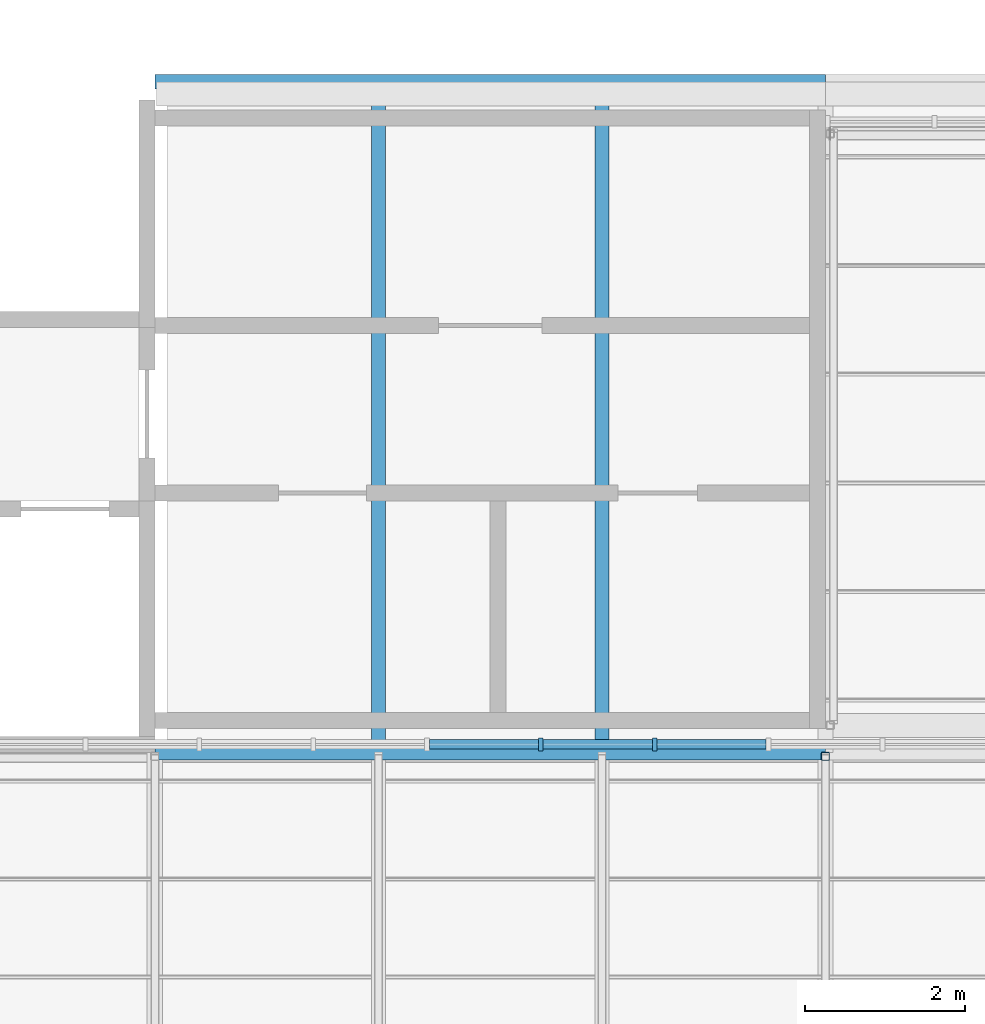
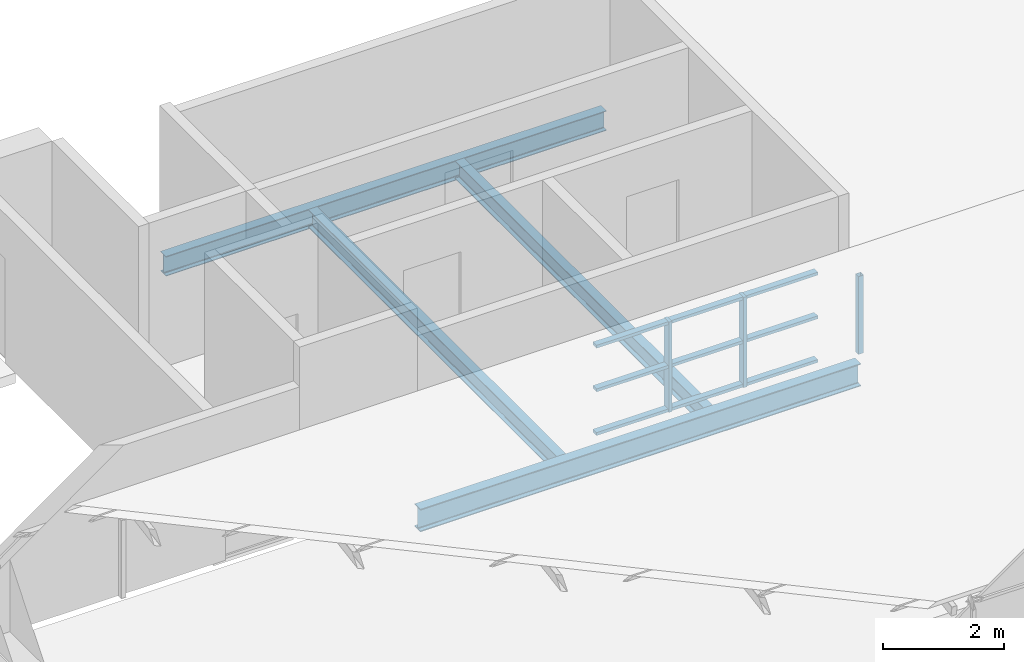
# One storey, part 8 of 33: 12 members, 4 beams, 1 element without a shape of its own.
"""IFC4 building model written with IfcOpenShell, lengths in metres."""

from ifc_helpers import new_model, si_unit, direction, frame, origin, origin_2d, place, context, subcontext, project, spatial, rectangle, hollow_rectangle, i_section, extrude, material, layer, layer_set, material_profile, profile_set, type_object, element, aggregate, save


model = new_model("IFC4")

# Units and contexts
model_context = context("Model", 3, precision=1e-05, world=origin(), true_north=direction((0.0, 1.0)))
body_context = subcontext(model_context, "Body", "Model", "MODEL_VIEW")
ifc_project = project(units=[si_unit("LENGTHUNIT", "METRE"), si_unit("AREAUNIT", "SQUARE_METRE"), si_unit("VOLUMEUNIT", "CUBIC_METRE"), si_unit("PLANEANGLEUNIT", "RADIAN"), si_unit("MASSUNIT", "GRAM", prefix="KILO")], contexts=[model_context])

# Site, building, storey
site_placement = place(None, origin())
site = spatial("IfcSite", under=ifc_project, at=site_placement, CompositionType="ELEMENT")
building_placement = place(site_placement, origin())
building = spatial("IfcBuilding", under=site, at=building_placement, Name="Ardhachandra Cancer Care Centre", CompositionType="ELEMENT")
storey_placement = place(building_placement, frame((0.0, 0.0, 27.0)))
storey = spatial("IfcBuildingStorey", under=building, at=storey_placement, Name="Roof", CompositionType="ELEMENT", Elevation=27.0)

# Beams
ifc_material_1 = material(Name="Steel E350 (IS 2062)", Category="steel")
ifc_material_profile_1 = material_profile(ifc_material_1, i_section(OverallWidth=0.172119140625, OverallDepth=0.364013671875, WebThickness=0.00927734375, FlangeThickness=0.0146484375, FilletRadius=0.01806640625, at=origin_2d()), Name="NPB 350x170x66.04")
ifc_profile_set_1 = profile_set([ifc_material_profile_1], Name="Steel E350 (IS 2062)")
beam_type_1 = type_object("IfcBeamType", Name="Beam NPB 350x170x66.04", PredefinedType="BEAM", material=ifc_profile_set_1)
for number, where, z_axis, x_axis, name in (
    (1, (122.800048828125, 96.696044921875, -0.382080078125), (0.0, 1.0, 0.0), (-1.0, 0.0, 0.0), "Secondary L14-M14@2800"),
    (2, (125.60009765625, 96.696044921875, -0.382080078125), (0.0, 1.0, 0.0), (-1.0, 0.0, 0.0), "Secondary L14-M14@5600"),
):
    element("IfcBeam", number, at=place(storey_placement, frame(where, z_axis=z_axis, x_axis=x_axis)), inside=storey, type_object=beam_type_1, Name=name, PredefinedType="BEAM", context=body_context, shape_type="SweptSolid", body=[
        extrude(i_section(OverallWidth=0.172119140625, OverallDepth=0.364013671875, WebThickness=0.00927734375, FlangeThickness=0.0146484375, FilletRadius=0.01806640625, at=origin_2d()), origin(), (0.0, 0.0, 1.0), 8.2138671875),
    ])
ifc_material_2 = material(Name="Steel E350 (IS 2062)", Category="steel")
ifc_material_profile_2 = material_profile(ifc_material_2, i_section(OverallWidth=0.179931640625, OverallDepth=0.39990234375, WebThickness=0.008544921875, FlangeThickness=0.013427734375, FilletRadius=0.02099609375, at=origin_2d()), Name="NPB 400x180x66.30")
ifc_profile_set_2 = profile_set([ifc_material_profile_2], Name="Steel E350 (IS 2062)")
beam_type_2 = type_object("IfcBeamType", Name="Beam NPB 400x180x66.30", PredefinedType="BEAM", material=ifc_profile_set_2)
beam_1_placement = place(storey_placement, frame((120.0, 105.0, -0.39990234375), z_axis=(1.0, 0.0, 0.0), x_axis=(0.0, 1.0, 0.0)))
element("IfcBeam", 3, at=beam_1_placement, inside=storey, type_object=beam_type_2, Name="Edge girder M14-M15", PredefinedType="BEAM", context=body_context, shape_type="SweptSolid", body=[
    extrude(i_section(OverallWidth=0.179931640625, OverallDepth=0.39990234375, WebThickness=0.008544921875, FlangeThickness=0.013427734375, FilletRadius=0.02099609375, at=origin_2d()), origin(), (0.0, 0.0, 1.0), 8.39990234375),
])
ifc_material_3 = material(Name="Steel E350 (IS 2062)", Category="steel")
ifc_material_profile_3 = material_profile(ifc_material_3, i_section(OverallWidth=0.19189453125, OverallDepth=0.4560546875, WebThickness=0.010986328125, FlangeThickness=0.017578125, FilletRadius=0.02099609375, at=origin_2d()), Name="NPB 450x190x92.36")
ifc_profile_set_3 = profile_set([ifc_material_profile_3], Name="Steel E350 (IS 2062)")
beam_type_3 = type_object("IfcBeamType", Name="Beam NPB 450x190x92.36", PredefinedType="BEAM", material=ifc_profile_set_3)
beam_2_placement = place(storey_placement, frame((120.0, 96.60009765625, -0.427978515625), z_axis=(1.0, 0.0, 0.0), x_axis=(0.0, 1.0, 0.0)))
element("IfcBeam", 4, at=beam_2_placement, inside=storey, type_object=beam_type_3, Name="Girder L14-L15", PredefinedType="BEAM", context=body_context, shape_type="SweptSolid", body=[
    extrude(i_section(OverallWidth=0.19189453125, OverallDepth=0.4560546875, WebThickness=0.010986328125, FlangeThickness=0.017578125, FilletRadius=0.02099609375, at=origin_2d()), origin(), (0.0, 0.0, 1.0), 8.39990234375),
])

# Curtain wall, members
ifc_material_4 = material(Name="Aluminium extrusion", Category="aluminium")
ifc_layer = layer(ifc_material_4, 0.14990234375)
ifc_layer_set = layer_set([ifc_layer], Name="Aluminium extrusion")
curtain_wall_type = type_object("IfcCurtainWallType", Name="Curtain wall run", PredefinedType="NOTDEFINED", material=ifc_layer_set)
curtain_wall_placement = place(storey_placement, origin())
curtain_wall = element("IfcCurtainWall", 5, at=curtain_wall_placement, inside=storey, type_object=curtain_wall_type, Name="Curtain wall Roof n/0112000_0096700", PredefinedType="NOTDEFINED")
ifc_material_5 = material(Name="Aluminium extrusion", Category="aluminium")
ifc_material_profile_4 = material_profile(ifc_material_5, rectangle(XDim=0.159912109375, YDim=0.06005859375, at=origin_2d()), Name="Curtain wall mullion 60 x 160")
ifc_profile_set_4 = profile_set([ifc_material_profile_4], Name="Aluminium extrusion")
member_type_1 = type_object("IfcMemberType", Name="Curtain wall mullion 60 x 160", PredefinedType="MULLION", material=ifc_profile_set_4)
member_1_placement = place(storey_placement, frame((124.834716796875, 96.699951171875, 0.0), z_axis=(0.0, 0.0, 1.0), x_axis=(0.0, 1.0, 0.0)))
member_1 = element("IfcMember", 6, at=member_1_placement, type_object=member_type_1, Name="CW mullion 10", PredefinedType="MULLION", context=body_context, shape_type="SweptSolid", body=[
    extrude(rectangle(XDim=0.159912109375, YDim=0.06005859375, at=origin_2d()), origin(), (0.0, 0.0, 1.0), 1.820068359375),
])
member_2_placement = place(storey_placement, frame((126.260986328125, 96.699951171875, 0.0), z_axis=(0.0, 0.0, 1.0), x_axis=(0.0, 1.0, 0.0)))
member_2 = element("IfcMember", 7, at=member_2_placement, type_object=member_type_1, Name="CW mullion 11", PredefinedType="MULLION", context=body_context, shape_type="SweptSolid", body=[
    extrude(rectangle(XDim=0.159912109375, YDim=0.06005859375, at=origin_2d()), origin(), (0.0, 0.0, 1.0), 1.820068359375),
])
ifc_material_6 = material(Name="Aluminium extrusion", Category="aluminium")
ifc_material_profile_5 = material_profile(ifc_material_6, rectangle(XDim=0.1201171875, YDim=0.06005859375, at=origin_2d()), Name="Curtain wall transom 60 x 120")
ifc_profile_set_5 = profile_set([ifc_material_profile_5], Name="Aluminium extrusion")
member_type_2 = type_object("IfcMemberType", Name="Curtain wall transom 60 x 120", PredefinedType="USERDEFINED", material=ifc_profile_set_5)
member_3_placement = place(storey_placement, frame((123.438720703125, 96.699951171875, 0.030029296875), z_axis=(1.0, 0.0, 0.0), x_axis=(0.0, 1.0, 0.0)))
member_3 = element("IfcMember", 8, at=member_3_placement, type_object=member_type_2, Name="CW transom 9.1", ObjectType="TRANSOM", PredefinedType="USERDEFINED", context=body_context, shape_type="SweptSolid", body=[
    extrude(rectangle(XDim=0.1201171875, YDim=0.06005859375, at=origin_2d()), origin(), (0.0, 0.0, 1.0), 1.365966796875),
])
member_4_placement = place(storey_placement, frame((123.438720703125, 96.699951171875, 0.909912109375), z_axis=(1.0, 0.0, 0.0), x_axis=(0.0, 1.0, 0.0)))
member_4 = element("IfcMember", 9, at=member_4_placement, type_object=member_type_2, Name="CW transom 9.2", ObjectType="TRANSOM", PredefinedType="USERDEFINED", context=body_context, shape_type="SweptSolid", body=[
    extrude(rectangle(XDim=0.1201171875, YDim=0.06005859375, at=origin_2d()), origin(), (0.0, 0.0, 1.0), 1.365966796875),
])
member_5_placement = place(storey_placement, frame((123.438720703125, 96.699951171875, 1.7900390625), z_axis=(1.0, 0.0, 0.0), x_axis=(0.0, 1.0, 0.0)))
member_5 = element("IfcMember", 10, at=member_5_placement, type_object=member_type_2, Name="CW transom 9.3", ObjectType="TRANSOM", PredefinedType="USERDEFINED", context=body_context, shape_type="SweptSolid", body=[
    extrude(rectangle(XDim=0.1201171875, YDim=0.06005859375, at=origin_2d()), origin(), (0.0, 0.0, 1.0), 1.365966796875),
])
member_6_placement = place(storey_placement, frame((124.86474609375, 96.699951171875, 0.030029296875), z_axis=(1.0, 0.0, 0.0), x_axis=(0.0, 1.0, 0.0)))
member_6 = element("IfcMember", 11, at=member_6_placement, type_object=member_type_2, Name="CW transom 10.1", ObjectType="TRANSOM", PredefinedType="USERDEFINED", context=body_context, shape_type="SweptSolid", body=[
    extrude(rectangle(XDim=0.1201171875, YDim=0.06005859375, at=origin_2d()), origin(), (0.0, 0.0, 1.0), 1.3662109375),
])
member_7_placement = place(storey_placement, frame((124.86474609375, 96.699951171875, 0.909912109375), z_axis=(1.0, 0.0, 0.0), x_axis=(0.0, 1.0, 0.0)))
member_7 = element("IfcMember", 12, at=member_7_placement, type_object=member_type_2, Name="CW transom 10.2", ObjectType="TRANSOM", PredefinedType="USERDEFINED", context=body_context, shape_type="SweptSolid", body=[
    extrude(rectangle(XDim=0.1201171875, YDim=0.06005859375, at=origin_2d()), origin(), (0.0, 0.0, 1.0), 1.3662109375),
])
member_8_placement = place(storey_placement, frame((124.86474609375, 96.699951171875, 1.7900390625), z_axis=(1.0, 0.0, 0.0), x_axis=(0.0, 1.0, 0.0)))
member_8 = element("IfcMember", 13, at=member_8_placement, type_object=member_type_2, Name="CW transom 10.3", ObjectType="TRANSOM", PredefinedType="USERDEFINED", context=body_context, shape_type="SweptSolid", body=[
    extrude(rectangle(XDim=0.1201171875, YDim=0.06005859375, at=origin_2d()), origin(), (0.0, 0.0, 1.0), 1.3662109375),
])
member_9_placement = place(storey_placement, frame((126.290771484375, 96.699951171875, 0.030029296875), z_axis=(1.0, 0.0, 0.0), x_axis=(0.0, 1.0, 0.0)))
member_9 = element("IfcMember", 14, at=member_9_placement, type_object=member_type_2, Name="CW transom 11.1", ObjectType="TRANSOM", PredefinedType="USERDEFINED", context=body_context, shape_type="SweptSolid", body=[
    extrude(rectangle(XDim=0.1201171875, YDim=0.06005859375, at=origin_2d()), origin(), (0.0, 0.0, 1.0), 1.3662109375),
])
member_10_placement = place(storey_placement, frame((126.290771484375, 96.699951171875, 0.909912109375), z_axis=(1.0, 0.0, 0.0), x_axis=(0.0, 1.0, 0.0)))
member_10 = element("IfcMember", 15, at=member_10_placement, type_object=member_type_2, Name="CW transom 11.2", ObjectType="TRANSOM", PredefinedType="USERDEFINED", context=body_context, shape_type="SweptSolid", body=[
    extrude(rectangle(XDim=0.1201171875, YDim=0.06005859375, at=origin_2d()), origin(), (0.0, 0.0, 1.0), 1.3662109375),
])
member_11_placement = place(storey_placement, frame((126.290771484375, 96.699951171875, 1.7900390625), z_axis=(1.0, 0.0, 0.0), x_axis=(0.0, 1.0, 0.0)))
member_11 = element("IfcMember", 16, at=member_11_placement, type_object=member_type_2, Name="CW transom 11.3", ObjectType="TRANSOM", PredefinedType="USERDEFINED", context=body_context, shape_type="SweptSolid", body=[
    extrude(rectangle(XDim=0.1201171875, YDim=0.06005859375, at=origin_2d()), origin(), (0.0, 0.0, 1.0), 1.3662109375),
])
aggregate(curtain_wall, [member_1, member_2, member_3, member_4, member_5, member_6, member_7, member_8, member_9, member_10, member_11])

# Member
ifc_material_7 = material(Name="Steel E350 (IS 2062)", Category="steel")
ifc_material_profile_6 = material_profile(ifc_material_7, hollow_rectangle(XDim=0.10009765625, YDim=0.10009765625, WallThickness=0.0048828125, InnerFilletRadius=0.0048828125, OuterFilletRadius=0.010009765625, at=origin_2d()), Name="SHS 100x100x5.0")
ifc_profile_set_6 = profile_set([ifc_material_profile_6], Name="Steel E350 (IS 2062)")
member_type_3 = type_object("IfcMemberType", Name="Sawtooth ridge post SHS 100x100x5.0", PredefinedType="POST", material=ifc_profile_set_6)
member_12_placement = place(storey_placement, frame((128.39990234375, 96.550048828125, 0.0), z_axis=(0.0, 0.0, 1.0), x_axis=(1.0, 0.0, 0.0)))
element("IfcMember", 17, at=member_12_placement, inside=storey, type_object=member_type_3, Name="Ridge post ST2a.3", PredefinedType="POST", context=body_context, shape_type="SweptSolid", body=[
    extrude(hollow_rectangle(XDim=0.10009765625, YDim=0.10009765625, WallThickness=0.0048828125, InnerFilletRadius=0.0048828125, OuterFilletRadius=0.010009765625, at=origin_2d()), origin(), (0.0, 0.0, 1.0), 1.570068359375),
])

save(model, "model.ifc")
